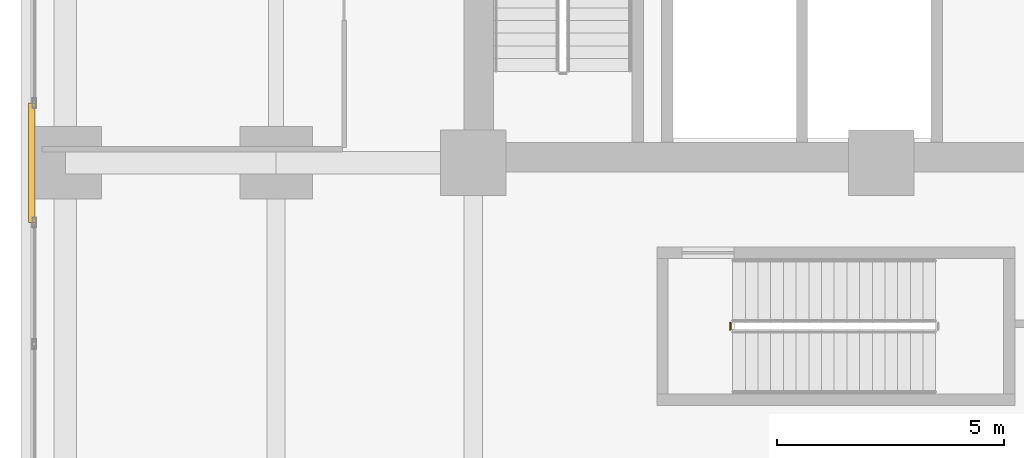
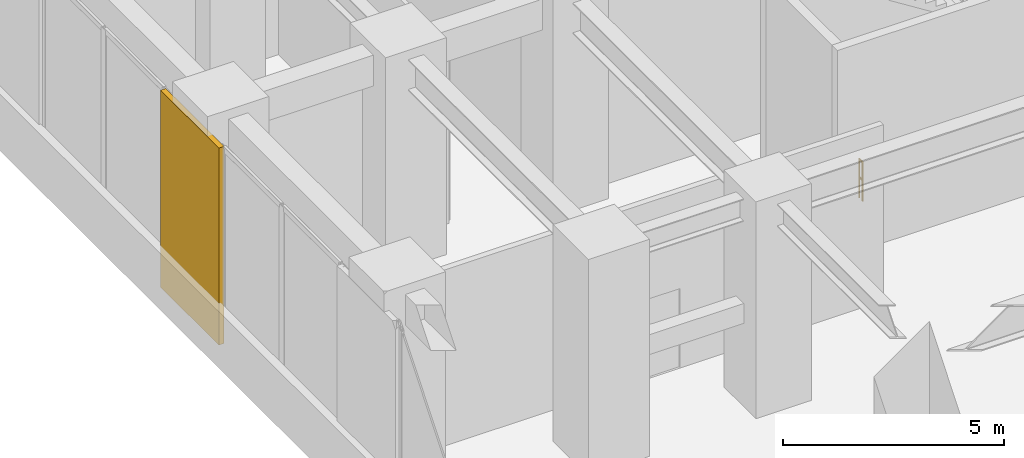
# One storey, part 28 of 34: 1 covering, 1 railing.
"""IFC4 building model written with IfcOpenShell, lengths in metres."""

from ifc_helpers import new_model, si_unit, direction, frame, origin, origin_2d, place, context, subcontext, project, spatial, rectangle, circle, extrude, source, transform, mapped, material, layer, layer_set, type_object, element, save


model = new_model("IFC4")

# Units and contexts
model_context = context("Model", 3, precision=1e-05, world=origin(), true_north=direction((0.0, 1.0)))
body_context = subcontext(model_context, "Body", "Model", "MODEL_VIEW")
ifc_project = project(units=[si_unit("LENGTHUNIT", "METRE"), si_unit("AREAUNIT", "SQUARE_METRE"), si_unit("VOLUMEUNIT", "CUBIC_METRE"), si_unit("PLANEANGLEUNIT", "RADIAN"), si_unit("MASSUNIT", "GRAM", prefix="KILO")], contexts=[model_context])

# Site, building, storey
site_placement = place(None, origin())
site = spatial("IfcSite", under=ifc_project, at=site_placement, CompositionType="ELEMENT")
building_placement = place(site_placement, origin())
building = spatial("IfcBuilding", under=site, at=building_placement, Name="Torre Montelarca", CompositionType="ELEMENT")
storey_placement = place(building_placement, frame((0.0, 0.0, 6.0)))
storey = spatial("IfcBuildingStorey", under=building, at=storey_placement, Name="L02", CompositionType="ELEMENT", Elevation=6.0)

# Railing
ifc_material_1 = material(Name="Powder-coated steel ASTM A500 Grade C", Category="steel")
railing_type = type_object("IfcRailingType", Name="RL-GUARD-1100", PredefinedType="BALUSTRADE", material=ifc_material_1)
railing_placement = place(storey_placement, frame((14.669921875, 20.320068359375, 0.0)))
element("IfcRailing", 1, at=railing_placement, inside=storey, type_object=railing_type, Name="L02 ST3 stair guard 4", PredefinedType="BALUSTRADE", context=body_context, shape_type="SweptSolid", body=[
    extrude(circle(Radius=0.02392578125, at=origin_2d()), frame((0.0, 0.0, 1.076171875), z_axis=(0.0, 1.0, 0.0), x_axis=(-1.0, 0.0, 0.0)), (0.0, 0.0, 1.0), 0.14990234375),
    extrude(circle(Radius=0.02099609375, at=origin_2d()), frame((0.0, 0.0, 0.572021484375), z_axis=(0.0, 1.0, 0.0), x_axis=(-1.0, 0.0, 0.0)), (0.0, 0.0, 1.0), 0.14990234375),
    extrude(circle(Radius=0.02099609375, at=origin_2d()), origin(), (0.0, 0.0, 1.0), 1.052001953125),
    extrude(circle(Radius=0.02099609375, at=origin_2d()), frame((0.0, 0.14990234375, 0.0)), (0.0, 0.0, 1.0), 1.052001953125),
])

# Covering
ifc_material_2 = material(Name="Bush-hammered warm white precast concrete C45/55", Category="concrete")
ifc_layer = layer(ifc_material_2, 0.139892578125, Name="Bush-hammered warm white precast concrete C45/55", Category="concrete")
ifc_layer_set = layer_set([ifc_layer], Name="Bush-hammered warm white precast concrete C45/55")
covering_type = type_object("IfcCoveringType", Name="COV-TRAY-CLAD", PredefinedType="CLADDING", material=ifc_layer_set)
shared_shape = source(origin(), body_context, "Body", "SweptSolid", [
    extrude(rectangle(XDim=2.639892578125, YDim=0.139892578125, at=origin_2d()), origin(), (0.0, 0.0, 1.0), 5.449951171875),
])
covering_placement = place(storey_placement, frame((-0.739990234375, 24.0, 0.0), z_axis=(0.0, 0.0, 1.0), x_axis=(0.0, -1.0, 0.0)))
element("IfcCovering", 2, at=covering_placement, inside=storey, type_object=covering_type, Name="L02 Architectural Column Pier Cladding E10-5", PredefinedType="CLADDING", context=body_context, shape_type="MappedRepresentation", body=[
    mapped(shared_shape, transform((0.0, 0.0, 0.0), scale=1.0)),
])

save(model, "model.ifc")
